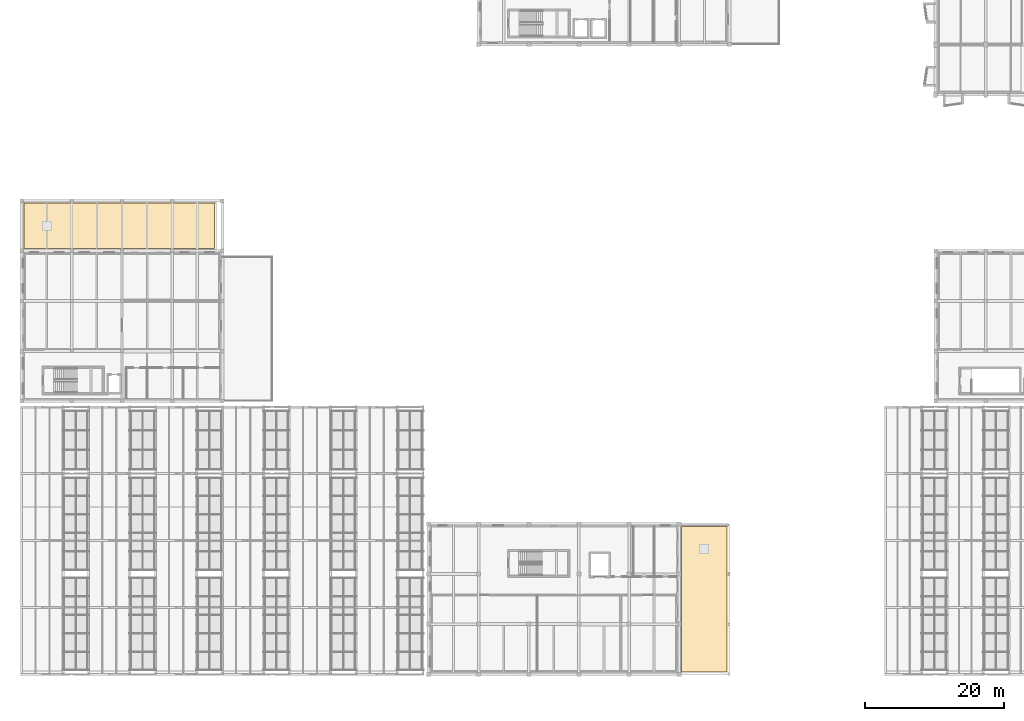
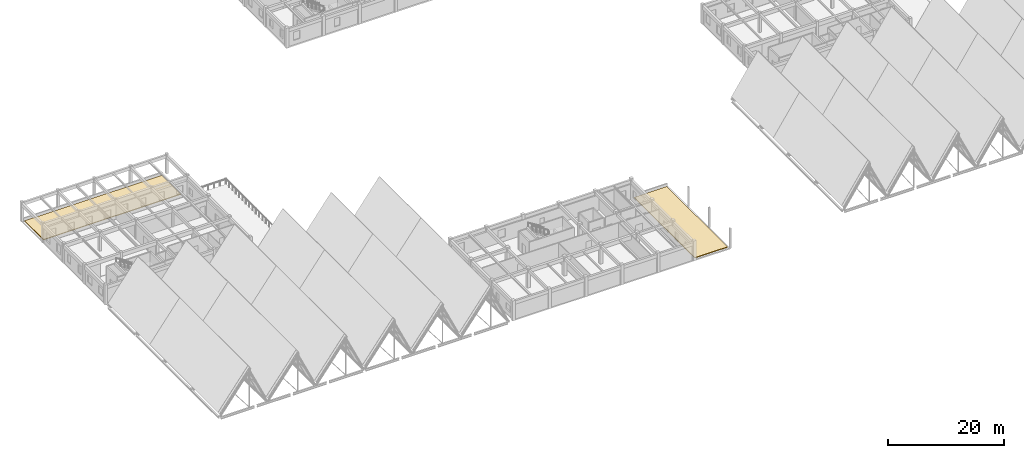
# One storey, part 96 of 99: 2 coverings.
"""IFC4 building model written with IfcOpenShell, lengths in metres."""

from ifc_helpers import new_model, si_unit, direction, frame, origin, place, context, subcontext, project, spatial, polyline, outline, extrude, material, layer, layer_set, type_object, element, save


model = new_model("IFC4")

# Units and contexts
model_context = context("Model", 3, precision=1e-05, world=origin(), true_north=direction((0.0, 1.0)))
body_context = subcontext(model_context, "Body", "Model", "MODEL_VIEW")
ifc_project = project(units=[si_unit("LENGTHUNIT", "METRE"), si_unit("AREAUNIT", "SQUARE_METRE"), si_unit("VOLUMEUNIT", "CUBIC_METRE"), si_unit("PLANEANGLEUNIT", "RADIAN"), si_unit("MASSUNIT", "GRAM", prefix="KILO")], contexts=[model_context])

# Site, building, storey
site_placement = place(None, origin())
site = spatial("IfcSite", under=ifc_project, at=site_placement, CompositionType="ELEMENT")
building_placement = place(site_placement, origin())
building = spatial("IfcBuilding", under=site, at=building_placement, Name="Bramveld Media Centre", CompositionType="ELEMENT")
storey_placement = place(building_placement, frame((0.0, 0.0, 13.800048828125)))
storey = spatial("IfcBuildingStorey", under=building, at=storey_placement, Name="L03", CompositionType="ELEMENT", Elevation=13.800048828125)

# Coverings
ifc_material = material(Name="Vegetated extensive green-roof substrate and EPDM membrane")
ifc_layer = layer(ifc_material, 0.139892578125)
ifc_layer_set = layer_set([ifc_layer], Name="Vegetated extensive green-roof substrate and EPDM membrane")
covering_type = type_object("IfcCoveringType", Name="COV-ROOF-GREEN", PredefinedType="ROOFING", material=ifc_layer_set)
covering_1_placement = place(storey_placement, origin())
element("IfcCovering", 1, at=covering_1_placement, inside=storey, type_object=covering_type, Name="V3 L03 vegetated green roof covering", PredefinedType="ROOFING", context=body_context, shape_type="SweptSolid", body=[
    extrude(outline(polyline([(0.35009765625, 61.14990234375), (27.64990234375, 61.14990234375), (27.64990234375, 67.64990234375), (0.35009765625, 67.64990234375), (0.35009765625, 61.14990234375)])), origin(), (0.0, 0.0, 1.0), 0.139892578125),
])
covering_2_placement = place(storey_placement, origin())
element("IfcCovering", 2, at=covering_2_placement, inside=storey, type_object=covering_type, Name="V5 L03 vegetated green roof covering", PredefinedType="ROOFING", context=body_context, shape_type="SweptSolid", body=[
    extrude(outline(polyline([(94.75, 0.35009765625), (101.25, 0.35009765625), (101.25, 21.25), (94.75, 21.25), (94.75, 0.35009765625)])), origin(), (0.0, 0.0, 1.0), 0.139892578125),
])

save(model, "model.ifc")
